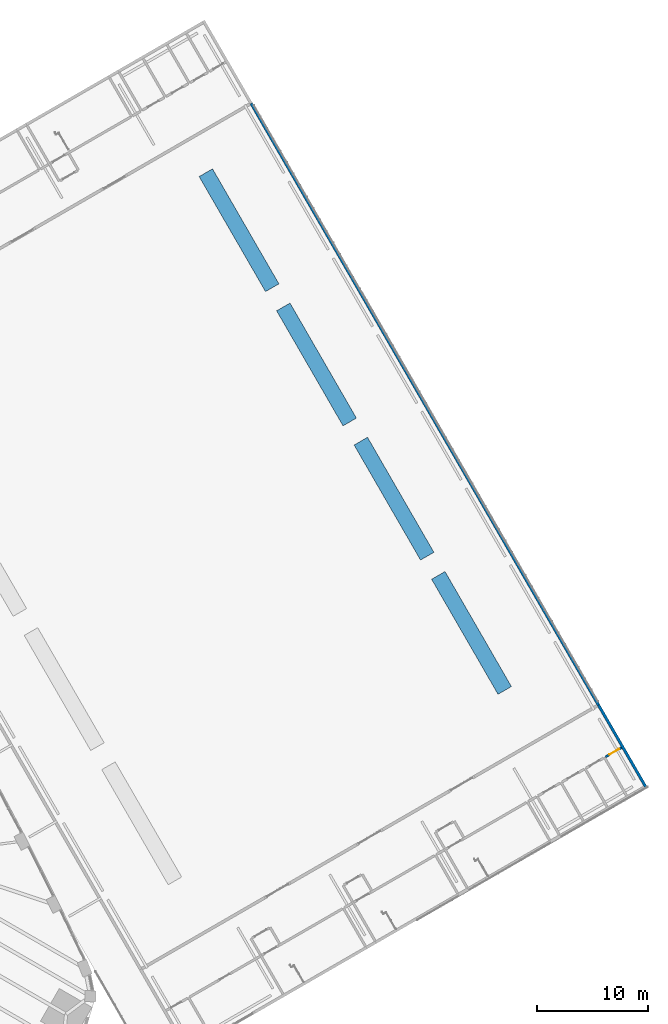
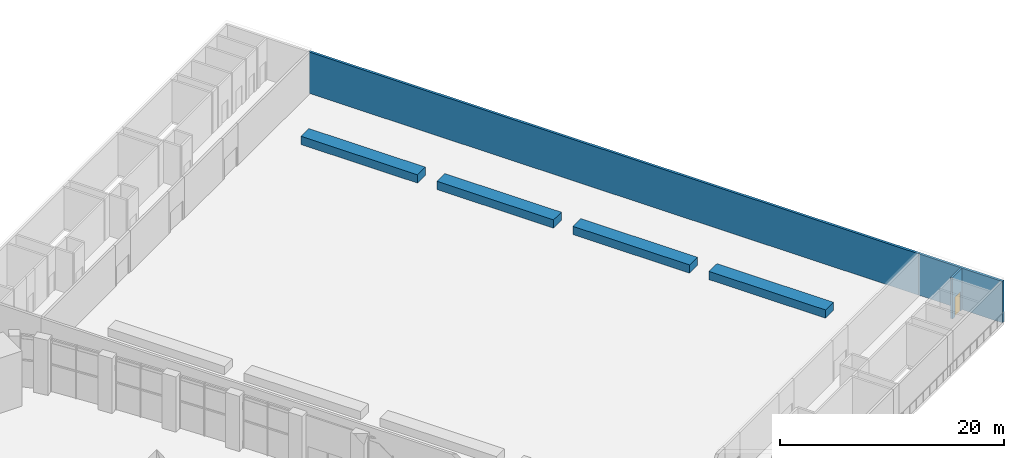
# One storey, part 34 of 41: 7 walls, 1 door, 1 opening.
"""IFC4 building model written with IfcOpenShell, lengths in metres."""

from ifc_helpers import new_model, si_unit, direction, frame, frame_2d, origin, place, context, subcontext, project, spatial, rectangle, extrude, material, layer, layer_set, type_object, element, fill, save


model = new_model("IFC4")

# Units and contexts
model_context = context("Model", 3, precision=1e-05, world=origin(), true_north=direction((0.0, 1.0)))
body_context = subcontext(model_context, "Body", "Model", "MODEL_VIEW")
ifc_project = project(units=[si_unit("LENGTHUNIT", "METRE"), si_unit("AREAUNIT", "SQUARE_METRE"), si_unit("VOLUMEUNIT", "CUBIC_METRE"), si_unit("PLANEANGLEUNIT", "RADIAN"), si_unit("MASSUNIT", "GRAM", prefix="KILO")], contexts=[model_context])

# Site, building, storey
site_placement = place(None, origin())
site = spatial("IfcSite", under=ifc_project, at=site_placement, CompositionType="ELEMENT")
building_placement = place(site_placement, origin())
building = spatial("IfcBuilding", under=site, at=building_placement, Name="Mestral Congress Tower", CompositionType="ELEMENT")
storey_placement = place(building_placement, frame((0.0, 0.0, 21.60009765625)))
storey = spatial("IfcBuildingStorey", under=building, at=storey_placement, Name="L04", CompositionType="ELEMENT", Elevation=21.60009765625)

# Walls
ifc_material_1 = material(Name="Precast concrete C40/50 with limestone facing", Category="masonry")
ifc_layer_1 = layer(ifc_material_1, 0.25)
ifc_layer_set_1 = layer_set([ifc_layer_1], Name="Precast concrete C40/50 with limestone facing")
wall_type_1 = type_object("IfcWallType", Name="Podium external wall 250 R 180 load-bearing to roof", PredefinedType="SOLIDWALL", material=ifc_layer_set_1)
wall_1_placement = place(storey_placement, frame((79.602783203125, 9.72998046875, 0.0), z_axis=(0.0, 0.0, 1.0), x_axis=(0.499999331568, -0.866025789703, 0.0)))
element("IfcWall", 1, at=wall_1_placement, inside=storey, type_object=wall_type_1, Name="L04 external wall", PredefinedType="SOLIDWALL", context=body_context, shape_type="SweptSolid", body=[
    extrude(rectangle(XDim=8.625, YDim=0.25, at=frame_2d((4.3125, 0.0))), origin(), (0.0, 0.0, 1.0), 4.5),
])
wall_2_placement = place(storey_placement, frame((48.227783203125, 64.072998046875, 0.0), z_axis=(0.0, 0.0, 1.0), x_axis=(0.500000527961, -0.866025098966, 0.0)))
element("IfcWall", 2, at=wall_2_placement, inside=storey, type_object=wall_type_1, Name="L04 external wall", PredefinedType="SOLIDWALL", context=body_context, shape_type="SweptSolid", body=[
    extrude(rectangle(XDim=62.75, YDim=0.25, at=frame_2d((31.375, 0.0))), origin(), (0.0, 0.0, 1.0), 4.5),
])
ifc_material_2 = material(Name="Precast concrete C30/37 planter", Category="concrete")
ifc_layer_2 = layer(ifc_material_2, 1.39990234375)
ifc_layer_set_2 = layer_set([ifc_layer_2], Name="Precast concrete C30/37 planter")
wall_type_2 = type_object("IfcWallType", Name="Podium planter bed 1400", PredefinedType="SOLIDWALL", material=ifc_layer_set_2)
for number, where, z_axis, x_axis, name in (
    (3, (71.134521484375, 11.04736328125, 0.0), (0.0, 0.0, 1.0), (-0.49999894854, 0.866026010844, 0.0), "PLANTER"),
    (4, (64.134521484375, 23.171630859375, 0.0), (0.0, 0.0, 1.0), (-0.49999894854, 0.866026010844, 0.0), "PLANTER"),
    (5, (57.134521484375, 35.296142578125, 0.0), (0.0, 0.0, 1.0), (-0.49999894854, 0.866026010844, 0.0), "PLANTER"),
    (6, (50.134521484375, 47.42041015625, 0.0), (0.0, 0.0, 1.0), (-0.49999894854, 0.866026010844, 0.0), "PLANTER"),
):
    element("IfcWall", number, at=place(storey_placement, frame(where, z_axis=z_axis, x_axis=x_axis)), inside=storey, type_object=wall_type_2, Name=name, PredefinedType="SOLIDWALL", context=body_context, shape_type="SweptSolid", body=[
        extrude(rectangle(XDim=12.0, YDim=1.39990234375, at=frame_2d((6.0, 0.0))), origin(), (0.0, 0.0, 1.0), 0.89990234375),
    ])

# Wall, opening, door
ifc_material_3 = material(Name="Fire-rated board partition")
ifc_layer_3 = layer(ifc_material_3, 0.199951171875)
ifc_layer_set_3 = layer_set([ifc_layer_3], Name="Fire-rated board partition")
wall_type_3 = type_object("IfcWallType", Name="Podium vestibule wall 200 EI 120", PredefinedType="PARTITIONING", material=ifc_layer_set_3)
wall_3_placement = place(storey_placement, frame((81.681884765625, 5.878662109375, 0.0), z_axis=(0.0, 0.0, 1.0), x_axis=(-0.865964676353, -0.500105168249, 0.0)))
wall_3 = element("IfcWall", 7, at=wall_3_placement, inside=storey, type_object=wall_type_3, Name="L04 partition", PredefinedType="PARTITIONING", context=body_context, shape_type="SweptSolid", body=[
    extrude(rectangle(XDim=1.675048828125, YDim=0.199951171875, at=frame_2d((0.83740234375, 0.0))), origin(), (0.0, 0.0, 1.0), 4.5),
])
opening_placement = place(wall_3_placement, frame((0.262451171875, 0.0, 0.0)))
opening = element("IfcOpeningElement", 8, at=opening_placement, cuts=wall_3, Name="Opening P04-025", PredefinedType="OPENING", context=body_context, shape_type="SweptSolid", body=[
    extrude(rectangle(XDim=1.0, YDim=2.10009765625, at=frame_2d((0.5, 1.050048828125))), frame((0.0, 0.10986328125, 0.0), z_axis=(0.0, -1.0, 0.0), x_axis=(1.0, 0.0, 0.0)), (0.0, 0.0, 1.0), 0.219970703125),
])
ifc_material_4 = material(Name="Fire-rated steel door set", Category="steel")
door_type = type_object("IfcDoorType", Name="Podium room door 1000x2100 EI2 30-C5", OperationType="SINGLE_SWING_LEFT", PredefinedType="DOOR", material=ifc_material_4)
door_placement = place(opening_placement, origin())
door = element("IfcDoor", 9, at=door_placement, inside=storey, type_object=door_type, Name="Door P04-025", OperationType="SINGLE_SWING_LEFT", OverallHeight=2.10009765625, OverallWidth=1.0, PredefinedType="DOOR", context=body_context, shape_type="SweptSolid", body=[
    extrude(rectangle(XDim=1.0, YDim=2.10009765625, at=frame_2d((0.5, 1.050048828125))), frame((0.0, 0.02490234375, 0.0), z_axis=(0.0, -1.0, 0.0), x_axis=(1.0, 0.0, 0.0)), (0.0, 0.0, 1.0), 0.050048828125),
])
fill(opening, door)

save(model, "model.ifc")
